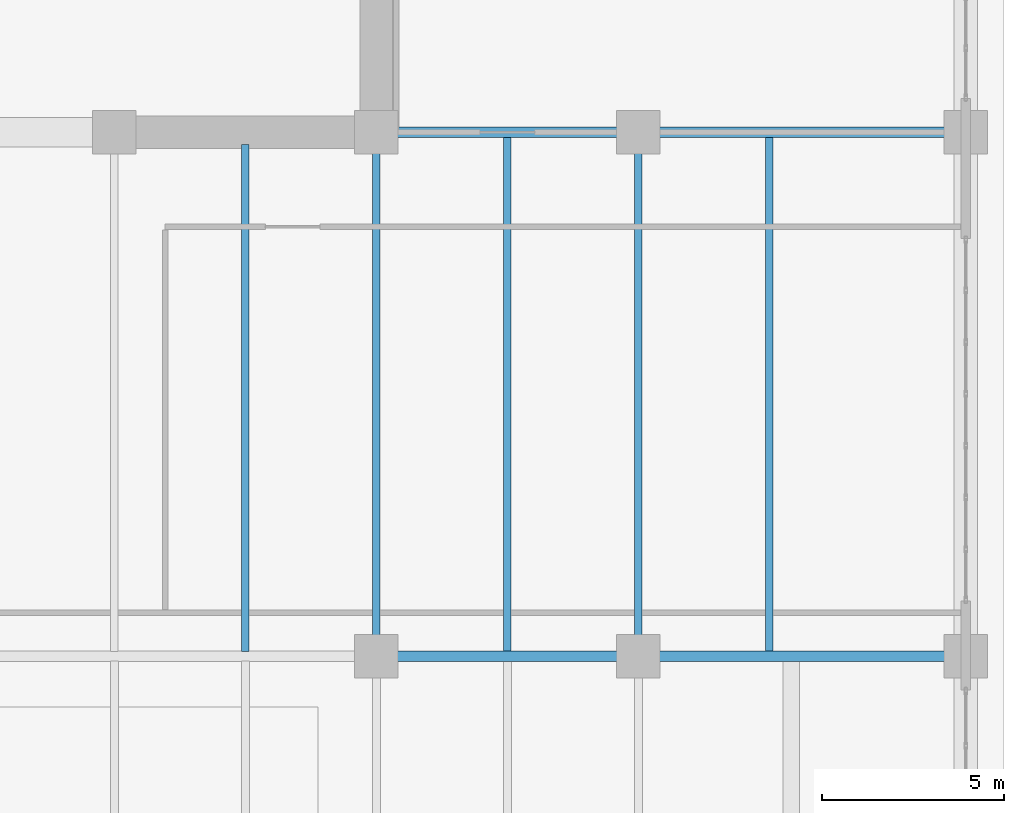
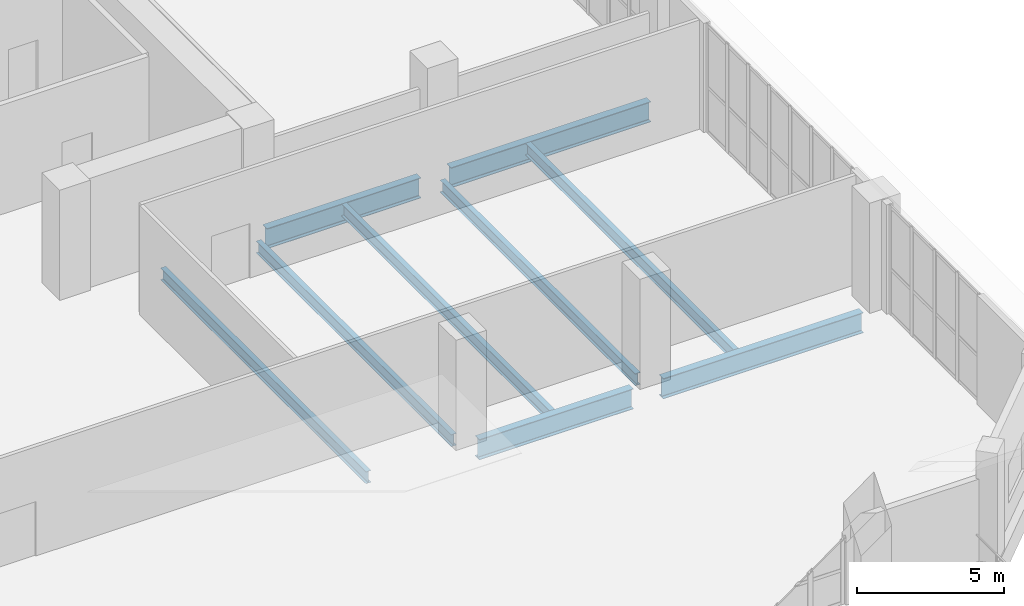
# One storey, part 21 of 37: 9 beams.
"""IFC4 building model written with IfcOpenShell, lengths in metres."""

from ifc_helpers import new_model, si_unit, direction, frame, origin, origin_2d, place, context, subcontext, project, spatial, i_section, extrude, material, material_profile, profile_set, type_object, element, save


model = new_model("IFC4")

# Units and contexts
model_context = context("Model", 3, precision=1e-05, world=origin(), true_north=direction((0.0, 1.0)))
body_context = subcontext(model_context, "Body", "Model", "MODEL_VIEW")
ifc_project = project(units=[si_unit("LENGTHUNIT", "METRE"), si_unit("AREAUNIT", "SQUARE_METRE"), si_unit("VOLUMEUNIT", "CUBIC_METRE"), si_unit("PLANEANGLEUNIT", "RADIAN"), si_unit("MASSUNIT", "GRAM", prefix="KILO")], contexts=[model_context])

# Site, building, storey
site_placement = place(None, origin())
site = spatial("IfcSite", under=ifc_project, at=site_placement, CompositionType="ELEMENT")
building_placement = place(site_placement, origin())
building = spatial("IfcBuilding", under=site, at=building_placement, Name="Kaelvorn Grand Hotel", CompositionType="ELEMENT")
storey_placement = place(building_placement, frame((0.0, 0.0, 130.550048828125)))
storey = spatial("IfcBuildingStorey", under=building, at=storey_placement, Name="L31", CompositionType="ELEMENT", Elevation=130.550048828125)

# Beams
ifc_material = material(Name="Steel S355", Category="steel")
ifc_material_profile_1 = material_profile(ifc_material, i_section(OverallWidth=0.29248046875, OverallDepth=0.8408203125, WebThickness=0.0146484375, FlangeThickness=0.021728515625, FilletRadius=0.017822265625, at=origin_2d()), Name="UB 838x292x194")
ifc_profile_set_1 = profile_set([ifc_material_profile_1], Name="Steel S355")
beam_type_1 = type_object("IfcBeamType", Name="BM-G-UB838-S355", PredefinedType="BEAM", material=ifc_profile_set_1)
beam_1_placement = place(storey_placement, frame((68.385009765625, 15.0, -0.660400390625), z_axis=(1.0, 0.0, 0.0), x_axis=(0.0, 1.0, 0.0)))
element("IfcBeam", 1, at=beam_1_placement, inside=storey, type_object=beam_type_1, Name="L31 Primary Spine Steel Girder G-15 06", PredefinedType="BEAM", context=body_context, shape_type="SweptSolid", body=[
    extrude(i_section(OverallWidth=0.29248046875, OverallDepth=0.8408203125, WebThickness=0.0146484375, FlangeThickness=0.021728515625, FilletRadius=0.017822265625, at=origin_2d()), origin(), (0.0, 0.0, 1.0), 6.030029296875),
])
beam_2_placement = place(storey_placement, frame((75.5849609375, 15.0, -0.660400390625), z_axis=(1.0, 0.0, 0.0), x_axis=(0.0, 1.0, 0.0)))
element("IfcBeam", 2, at=beam_2_placement, inside=storey, type_object=beam_type_1, Name="L31 Primary Spine Steel Girder G-15 07", PredefinedType="BEAM", context=body_context, shape_type="SweptSolid", body=[
    extrude(i_section(OverallWidth=0.29248046875, OverallDepth=0.8408203125, WebThickness=0.0146484375, FlangeThickness=0.021728515625, FilletRadius=0.017822265625, at=origin_2d()), origin(), (0.0, 0.0, 1.0), 7.830078125),
])
beam_3_placement = place(storey_placement, frame((68.385009765625, 29.39990234375, -0.660400390625), z_axis=(1.0, 0.0, 0.0), x_axis=(0.0, 1.0, 0.0)))
element("IfcBeam", 3, at=beam_3_placement, inside=storey, type_object=beam_type_1, Name="L31 East Core Wing Steel Girder G-29E 01", PredefinedType="BEAM", context=body_context, shape_type="SweptSolid", body=[
    extrude(i_section(OverallWidth=0.29248046875, OverallDepth=0.8408203125, WebThickness=0.0146484375, FlangeThickness=0.021728515625, FilletRadius=0.017822265625, at=origin_2d()), origin(), (0.0, 0.0, 1.0), 6.030029296875),
])
beam_4_placement = place(storey_placement, frame((75.5849609375, 29.39990234375, -0.660400390625), z_axis=(1.0, 0.0, 0.0), x_axis=(0.0, 1.0, 0.0)))
element("IfcBeam", 4, at=beam_4_placement, inside=storey, type_object=beam_type_1, Name="L31 East Core Wing Steel Girder G-29E 02", PredefinedType="BEAM", context=body_context, shape_type="SweptSolid", body=[
    extrude(i_section(OverallWidth=0.29248046875, OverallDepth=0.8408203125, WebThickness=0.0146484375, FlangeThickness=0.021728515625, FilletRadius=0.017822265625, at=origin_2d()), origin(), (0.0, 0.0, 1.0), 7.830078125),
])
ifc_material_profile_2 = material_profile(ifc_material, i_section(OverallWidth=0.199951171875, OverallDepth=0.5, WebThickness=0.01025390625, FlangeThickness=0.01611328125, FilletRadius=0.02099609375, at=origin_2d()), Name="IPE 500")
ifc_profile_set_2 = profile_set([ifc_material_profile_2], Name="Steel S355")
beam_type_2 = type_object("IfcBeamType", Name="BM-J-IPE500-S355", PredefinedType="JOIST", material=ifc_profile_set_2)
beam_5_placement = place(storey_placement, frame((64.199951171875, 15.131103515625, -0.489990234375), z_axis=(0.0, 1.0, 0.0), x_axis=(-1.0, 0.0, 0.0)))
element("IfcBeam", 5, at=beam_5_placement, inside=storey, type_object=beam_type_2, Name="L31 Composite Floor Joist JM-18", PredefinedType="JOIST", context=body_context, shape_type="SweptSolid", body=[
    extrude(i_section(OverallWidth=0.199951171875, OverallDepth=0.5, WebThickness=0.01025390625, FlangeThickness=0.01611328125, FilletRadius=0.02099609375, at=origin_2d()), origin(), (0.0, 0.0, 1.0), 13.928955078125),
])
beam_6_placement = place(storey_placement, frame((67.800048828125, 15.5849609375, -0.489990234375), z_axis=(0.0, 1.0, 0.0), x_axis=(-1.0, 0.0, 0.0)))
element("IfcBeam", 6, at=beam_6_placement, inside=storey, type_object=beam_type_2, Name="L31 Composite Floor Joist JM-19", PredefinedType="JOIST", context=body_context, shape_type="SweptSolid", body=[
    extrude(i_section(OverallWidth=0.199951171875, OverallDepth=0.5, WebThickness=0.01025390625, FlangeThickness=0.01611328125, FilletRadius=0.02099609375, at=origin_2d()), origin(), (0.0, 0.0, 1.0), 13.22998046875),
])
beam_7_placement = place(storey_placement, frame((71.39990234375, 15.131103515625, -0.489990234375), z_axis=(0.0, 1.0, 0.0), x_axis=(-1.0, 0.0, 0.0)))
element("IfcBeam", 7, at=beam_7_placement, inside=storey, type_object=beam_type_2, Name="L31 Composite Floor Joist JM-20", PredefinedType="JOIST", context=body_context, shape_type="SweptSolid", body=[
    extrude(i_section(OverallWidth=0.199951171875, OverallDepth=0.5, WebThickness=0.01025390625, FlangeThickness=0.01611328125, FilletRadius=0.02099609375, at=origin_2d()), origin(), (0.0, 0.0, 1.0), 14.1376953125),
])
beam_8_placement = place(storey_placement, frame((75.0, 15.5849609375, -0.489990234375), z_axis=(0.0, 1.0, 0.0), x_axis=(-1.0, 0.0, 0.0)))
element("IfcBeam", 8, at=beam_8_placement, inside=storey, type_object=beam_type_2, Name="L31 Composite Floor Joist JM-21", PredefinedType="JOIST", context=body_context, shape_type="SweptSolid", body=[
    extrude(i_section(OverallWidth=0.199951171875, OverallDepth=0.5, WebThickness=0.01025390625, FlangeThickness=0.01611328125, FilletRadius=0.02099609375, at=origin_2d()), origin(), (0.0, 0.0, 1.0), 13.22998046875),
])
beam_9_placement = place(storey_placement, frame((78.60009765625, 15.131103515625, -0.489990234375), z_axis=(0.0, 1.0, 0.0), x_axis=(-1.0, 0.0, 0.0)))
element("IfcBeam", 9, at=beam_9_placement, inside=storey, type_object=beam_type_2, Name="L31 Composite Floor Joist JM-22", PredefinedType="JOIST", context=body_context, shape_type="SweptSolid", body=[
    extrude(i_section(OverallWidth=0.199951171875, OverallDepth=0.5, WebThickness=0.01025390625, FlangeThickness=0.01611328125, FilletRadius=0.02099609375, at=origin_2d()), origin(), (0.0, 0.0, 1.0), 14.1376953125),
])

save(model, "model.ifc")
